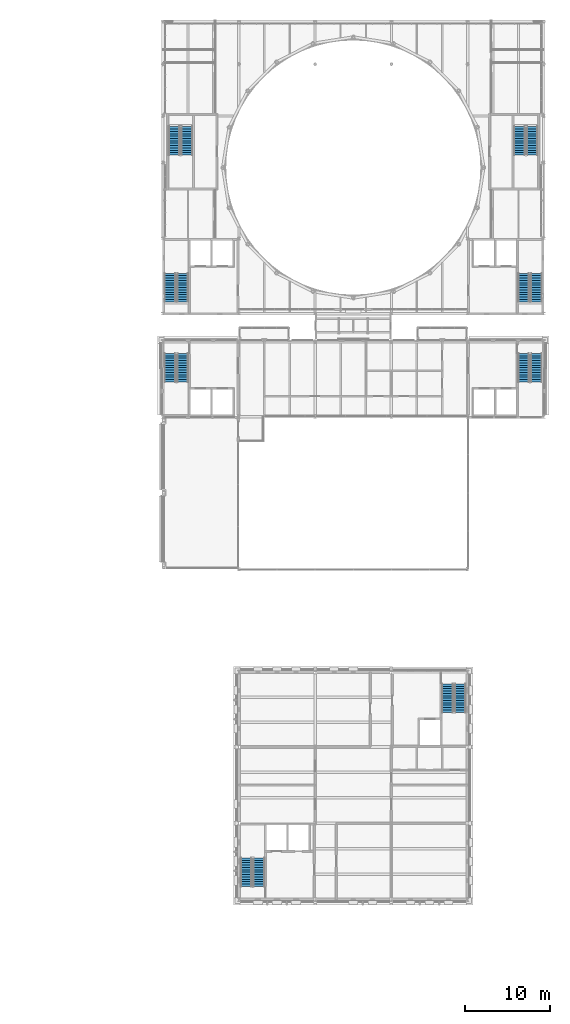
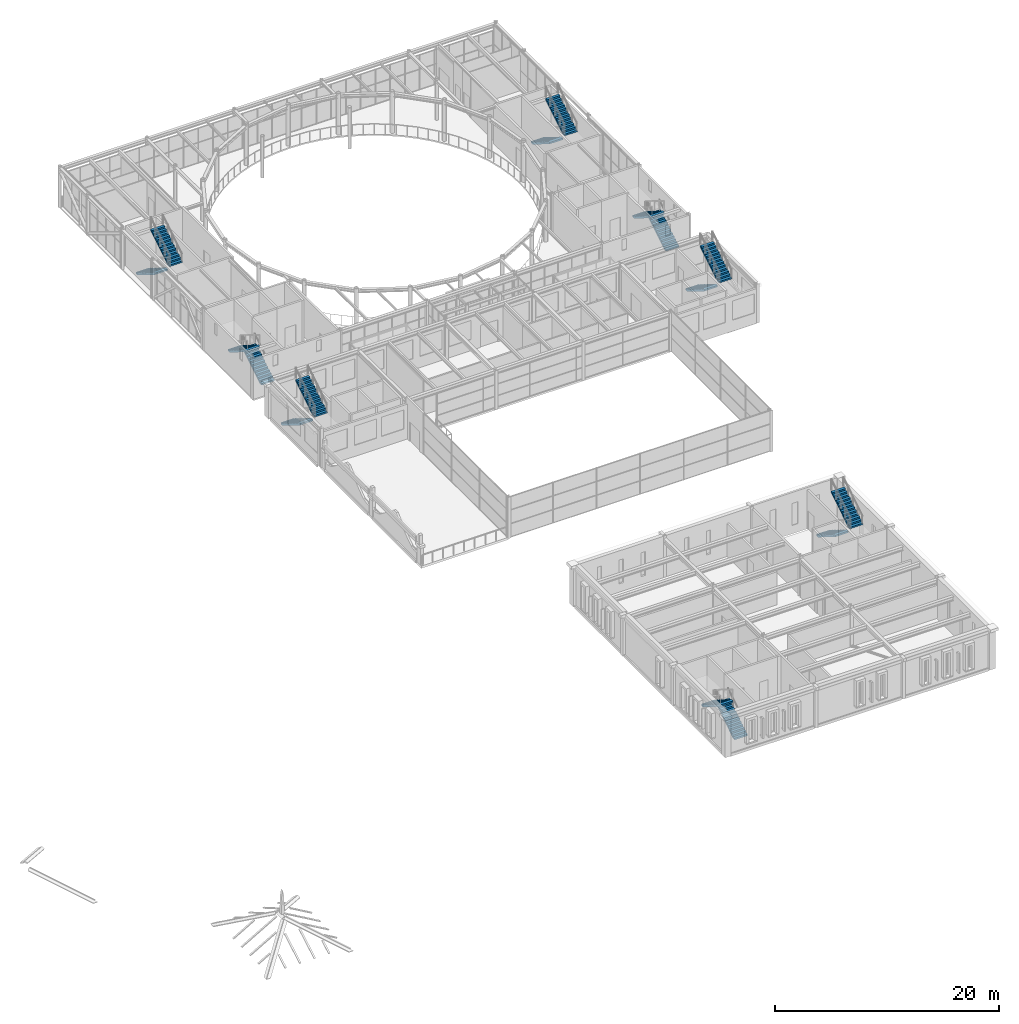
# One storey, part 56 of 70: 16 stair flights, 8 elements without a shape of their own.
"""IFC4 building model written with IfcOpenShell, lengths in metres."""

from ifc_helpers import new_model, si_unit, direction, frame, origin, place, context, subcontext, project, spatial, polyline, outline, extrude, material, type_object, element, aggregate, save


model = new_model("IFC4")

# Units and contexts
model_context = context("Model", 3, precision=1e-05, world=origin(), true_north=direction((0.0, 1.0)))
body_context = subcontext(model_context, "Body", "Model", "MODEL_VIEW")
ifc_project = project(units=[si_unit("LENGTHUNIT", "METRE"), si_unit("AREAUNIT", "SQUARE_METRE"), si_unit("VOLUMEUNIT", "CUBIC_METRE"), si_unit("PLANEANGLEUNIT", "RADIAN"), si_unit("MASSUNIT", "GRAM", prefix="KILO")], contexts=[model_context])

# Site, building, storey
site_placement = place(None, origin())
site = spatial("IfcSite", under=ifc_project, at=site_placement, CompositionType="ELEMENT")
building_placement = place(site_placement, origin())
building = spatial("IfcBuilding", under=site, at=building_placement, Name="Kallimachos Central Library", CompositionType="ELEMENT")
storey_placement = place(building_placement, frame((0.0, 0.0, 18.89990234375)))
storey = spatial("IfcBuildingStorey", under=building, at=storey_placement, Name="L04", CompositionType="ELEMENT", Elevation=18.89990234375)

# Stair, stair flights
ifc_material_1 = material(Name="Concrete C30/37", Category="concrete")
stair_type_1 = type_object("IfcStairType", Name="Concrete stair 1350", PredefinedType="HALF_TURN_STAIR", material=ifc_material_1)
stair_1_placement = place(storey_placement, origin())
stair_1 = element("IfcStair", 1, at=stair_1_placement, inside=storey, type_object=stair_type_1, Name="L04 stair ST13", PredefinedType="HALF_TURN_STAIR")
ifc_material_2 = material(Name="Concrete C30/37", Category="concrete")
stair_flight_type_1 = type_object("IfcStairFlightType", Name="Concrete stair flight 1350", PredefinedType="STRAIGHT", material=ifc_material_2)
stair_flight_1_placement = place(storey_placement, frame((76.875, 19.550048828125, 0.0), z_axis=(0.0, 0.0, 1.0), x_axis=(0.0, 1.0, 0.0)))
stair_flight_1 = element("IfcStairFlight", 2, at=stair_flight_1_placement, type_object=stair_flight_type_1, Name="ST13 flight 1", NumberOfRisers=13, NumberOfTreads=12, PredefinedType="STRAIGHT", RiserHeight=0.173076923, TreadLength=0.28, context=body_context, shape_type="SweptSolid", body=[
    extrude(outline(polyline([(0.0, 0.0), (0.0, 0.173095703125), (0.280029296875, 0.173095703125), (0.280029296875, 0.34619140625), (0.56005859375, 0.34619140625), (0.56005859375, 0.519287109375), (0.840087890625, 0.519287109375), (0.840087890625, 0.6923828125), (1.1201171875, 0.6923828125), (1.1201171875, 0.865478515625), (1.39990234375, 0.865478515625), (1.39990234375, 1.03857421875), (1.679931640625, 1.03857421875), (1.679931640625, 1.21142578125), (1.9599609375, 1.21142578125), (1.9599609375, 1.384521484375), (2.239990234375, 1.384521484375), (2.239990234375, 1.5576171875), (2.52001953125, 1.5576171875), (2.52001953125, 1.730712890625), (2.800048828125, 1.730712890625), (2.800048828125, 1.90380859375), (3.080078125, 1.90380859375), (3.080078125, 2.076904296875), (3.360107421875, 2.076904296875), (3.360107421875, 2.25), (3.360107421875, 1.900634765625), (0.28515625, 0.0), (0.0, 0.0)])), frame((0.0, 0.675048828125, 0.0), z_axis=(0.0, -1.0, 0.0), x_axis=(1.0, 0.0, 0.0)), (0.0, 0.0, 1.0), 1.35009765625),
])
stair_flight_2_placement = place(storey_placement, frame((75.375, 22.909912109375, 2.25), z_axis=(0.0, 0.0, 1.0), x_axis=(0.0, -1.0, 0.0)))
stair_flight_2 = element("IfcStairFlight", 3, at=stair_flight_2_placement, type_object=stair_flight_type_1, Name="ST13 flight 2", NumberOfRisers=13, NumberOfTreads=12, PredefinedType="STRAIGHT", RiserHeight=0.173076923, TreadLength=0.28, context=body_context, shape_type="SweptSolid", body=[
    extrude(outline(polyline([(0.0, 0.0), (0.0, 0.173095703125), (0.280029296875, 0.173095703125), (0.280029296875, 0.34619140625), (0.56005859375, 0.34619140625), (0.56005859375, 0.519287109375), (0.840087890625, 0.519287109375), (0.840087890625, 0.6923828125), (1.1201171875, 0.6923828125), (1.1201171875, 0.865478515625), (1.39990234375, 0.865478515625), (1.39990234375, 1.03857421875), (1.679931640625, 1.03857421875), (1.679931640625, 1.21142578125), (1.9599609375, 1.21142578125), (1.9599609375, 1.384521484375), (2.239990234375, 1.384521484375), (2.239990234375, 1.5576171875), (2.52001953125, 1.5576171875), (2.52001953125, 1.730712890625), (2.800048828125, 1.730712890625), (2.800048828125, 1.90380859375), (3.080078125, 1.90380859375), (3.080078125, 2.076904296875), (3.360107421875, 2.076904296875), (3.360107421875, 2.25), (3.360107421875, 1.900634765625), (0.28515625, 0.0), (0.0, 0.0)])), frame((0.0, 0.675048828125, 0.0), z_axis=(0.0, -1.0, 0.0), x_axis=(1.0, 0.0, 0.0)), (0.0, 0.0, 1.0), 1.35009765625),
])
aggregate(stair_1, [stair_flight_1, stair_flight_2])

stair_2_placement = place(storey_placement, origin())
stair_2 = element("IfcStair", 4, at=stair_2_placement, inside=storey, type_object=stair_type_1, Name="L04 stair ST14", PredefinedType="HALF_TURN_STAIR")
stair_flight_3_placement = place(storey_placement, frame((99.125, 43.449951171875, 0.0), z_axis=(0.0, 0.0, 1.0), x_axis=(0.0, -1.0, 0.0)))
stair_flight_3 = element("IfcStairFlight", 5, at=stair_flight_3_placement, type_object=stair_flight_type_1, Name="ST14 flight 1", NumberOfRisers=13, NumberOfTreads=12, PredefinedType="STRAIGHT", RiserHeight=0.173076923, TreadLength=0.28, context=body_context, shape_type="SweptSolid", body=[
    extrude(outline(polyline([(0.0, 0.0), (0.0, 0.173095703125), (0.280029296875, 0.173095703125), (0.280029296875, 0.34619140625), (0.56005859375, 0.34619140625), (0.56005859375, 0.519287109375), (0.840087890625, 0.519287109375), (0.840087890625, 0.6923828125), (1.1201171875, 0.6923828125), (1.1201171875, 0.865478515625), (1.39990234375, 0.865478515625), (1.39990234375, 1.03857421875), (1.679931640625, 1.03857421875), (1.679931640625, 1.21142578125), (1.9599609375, 1.21142578125), (1.9599609375, 1.384521484375), (2.239990234375, 1.384521484375), (2.239990234375, 1.5576171875), (2.52001953125, 1.5576171875), (2.52001953125, 1.730712890625), (2.800048828125, 1.730712890625), (2.800048828125, 1.90380859375), (3.080078125, 1.90380859375), (3.080078125, 2.076904296875), (3.360107421875, 2.076904296875), (3.360107421875, 2.25), (3.360107421875, 1.900634765625), (0.28515625, 0.0), (0.0, 0.0)])), frame((0.0, 0.675048828125, 0.0), z_axis=(0.0, -1.0, 0.0), x_axis=(1.0, 0.0, 0.0)), (0.0, 0.0, 1.0), 1.35009765625),
])
stair_flight_4_placement = place(storey_placement, frame((100.625, 40.090087890625, 2.25), z_axis=(0.0, 0.0, 1.0), x_axis=(0.0, 1.0, 0.0)))
stair_flight_4 = element("IfcStairFlight", 6, at=stair_flight_4_placement, type_object=stair_flight_type_1, Name="ST14 flight 2", NumberOfRisers=13, NumberOfTreads=12, PredefinedType="STRAIGHT", RiserHeight=0.173076923, TreadLength=0.28, context=body_context, shape_type="SweptSolid", body=[
    extrude(outline(polyline([(0.0, 0.0), (0.0, 0.173095703125), (0.280029296875, 0.173095703125), (0.280029296875, 0.34619140625), (0.56005859375, 0.34619140625), (0.56005859375, 0.519287109375), (0.840087890625, 0.519287109375), (0.840087890625, 0.6923828125), (1.1201171875, 0.6923828125), (1.1201171875, 0.865478515625), (1.39990234375, 0.865478515625), (1.39990234375, 1.03857421875), (1.679931640625, 1.03857421875), (1.679931640625, 1.21142578125), (1.9599609375, 1.21142578125), (1.9599609375, 1.384521484375), (2.239990234375, 1.384521484375), (2.239990234375, 1.5576171875), (2.52001953125, 1.5576171875), (2.52001953125, 1.730712890625), (2.800048828125, 1.730712890625), (2.800048828125, 1.90380859375), (3.080078125, 1.90380859375), (3.080078125, 2.076904296875), (3.360107421875, 2.076904296875), (3.360107421875, 2.25), (3.360107421875, 1.900634765625), (0.28515625, 0.0), (0.0, 0.0)])), frame((0.0, 0.675048828125, 0.0), z_axis=(0.0, -1.0, 0.0), x_axis=(1.0, 0.0, 0.0)), (0.0, 0.0, 1.0), 1.35009765625),
])
aggregate(stair_2, [stair_flight_3, stair_flight_4])

ifc_material_3 = material(Name="Concrete C30/37", Category="concrete")
stair_type_2 = type_object("IfcStairType", Name="Escape stair", PredefinedType="HALF_TURN_STAIR", material=ifc_material_3)
stair_3_placement = place(storey_placement, origin())
stair_3 = element("IfcStair", 7, at=stair_3_placement, inside=storey, type_object=stair_type_2, Name="L04 stair ST9", PredefinedType="HALF_TURN_STAIR")
ifc_material_4 = material(Name="Concrete C30/37", Category="concrete")
stair_flight_type_2 = type_object("IfcStairFlightType", Name="Stair flight", PredefinedType="STRAIGHT", material=ifc_material_4)
stair_flight_5_placement = place(storey_placement, frame((66.375, 82.449951171875, 0.0), z_axis=(0.0, 0.0, 1.0), x_axis=(0.0, -1.0, 0.0)))
stair_flight_5 = element("IfcStairFlight", 8, at=stair_flight_5_placement, type_object=stair_flight_type_2, Name="ST9 flight 1", NumberOfRisers=13, NumberOfTreads=12, PredefinedType="STRAIGHT", RiserHeight=0.173076923, TreadLength=0.28, context=body_context, shape_type="SweptSolid", body=[
    extrude(outline(polyline([(0.0, 0.0), (0.0, 0.173095703125), (0.280029296875, 0.173095703125), (0.280029296875, 0.34619140625), (0.56005859375, 0.34619140625), (0.56005859375, 0.519287109375), (0.840087890625, 0.519287109375), (0.840087890625, 0.6923828125), (1.1201171875, 0.6923828125), (1.1201171875, 0.865478515625), (1.39990234375, 0.865478515625), (1.39990234375, 1.03857421875), (1.679931640625, 1.03857421875), (1.679931640625, 1.21142578125), (1.9599609375, 1.21142578125), (1.9599609375, 1.384521484375), (2.239990234375, 1.384521484375), (2.239990234375, 1.5576171875), (2.52001953125, 1.5576171875), (2.52001953125, 1.730712890625), (2.800048828125, 1.730712890625), (2.800048828125, 1.90380859375), (3.080078125, 1.90380859375), (3.080078125, 2.076904296875), (3.360107421875, 2.076904296875), (3.360107421875, 2.25), (3.360107421875, 1.900634765625), (0.28515625, 0.0), (0.0, 0.0)])), frame((0.0, 0.675048828125, 0.0), z_axis=(0.0, -1.0, 0.0), x_axis=(1.0, 0.0, 0.0)), (0.0, 0.0, 1.0), 1.35009765625),
])
stair_flight_6_placement = place(storey_placement, frame((67.875, 79.090087890625, 2.25), z_axis=(0.0, 0.0, 1.0), x_axis=(0.0, 1.0, 0.0)))
stair_flight_6 = element("IfcStairFlight", 9, at=stair_flight_6_placement, type_object=stair_flight_type_2, Name="ST9 flight 2", NumberOfRisers=13, NumberOfTreads=12, PredefinedType="STRAIGHT", RiserHeight=0.173076923, TreadLength=0.28, context=body_context, shape_type="SweptSolid", body=[
    extrude(outline(polyline([(0.0, 0.0), (0.0, 0.173095703125), (0.280029296875, 0.173095703125), (0.280029296875, 0.34619140625), (0.56005859375, 0.34619140625), (0.56005859375, 0.519287109375), (0.840087890625, 0.519287109375), (0.840087890625, 0.6923828125), (1.1201171875, 0.6923828125), (1.1201171875, 0.865478515625), (1.39990234375, 0.865478515625), (1.39990234375, 1.03857421875), (1.679931640625, 1.03857421875), (1.679931640625, 1.21142578125), (1.9599609375, 1.21142578125), (1.9599609375, 1.384521484375), (2.239990234375, 1.384521484375), (2.239990234375, 1.5576171875), (2.52001953125, 1.5576171875), (2.52001953125, 1.730712890625), (2.800048828125, 1.730712890625), (2.800048828125, 1.90380859375), (3.080078125, 1.90380859375), (3.080078125, 2.076904296875), (3.360107421875, 2.076904296875), (3.360107421875, 2.25), (3.360107421875, 1.900634765625), (0.28515625, 0.0), (0.0, 0.0)])), frame((0.0, 0.675048828125, 0.0), z_axis=(0.0, -1.0, 0.0), x_axis=(1.0, 0.0, 0.0)), (0.0, 0.0, 1.0), 1.35009765625),
])
aggregate(stair_3, [stair_flight_5, stair_flight_6])

stair_4_placement = place(storey_placement, origin())
stair_4 = element("IfcStair", 10, at=stair_4_placement, inside=storey, type_object=stair_type_2, Name="L04 stair ST10", PredefinedType="HALF_TURN_STAIR")
stair_flight_7_placement = place(storey_placement, frame((108.125, 82.449951171875, 0.0), z_axis=(0.0, 0.0, 1.0), x_axis=(0.0, -1.0, 0.0)))
stair_flight_7 = element("IfcStairFlight", 11, at=stair_flight_7_placement, type_object=stair_flight_type_2, Name="ST10 flight 1", NumberOfRisers=13, NumberOfTreads=12, PredefinedType="STRAIGHT", RiserHeight=0.173076923, TreadLength=0.28, context=body_context, shape_type="SweptSolid", body=[
    extrude(outline(polyline([(0.0, 0.0), (0.0, 0.173095703125), (0.280029296875, 0.173095703125), (0.280029296875, 0.34619140625), (0.56005859375, 0.34619140625), (0.56005859375, 0.519287109375), (0.840087890625, 0.519287109375), (0.840087890625, 0.6923828125), (1.1201171875, 0.6923828125), (1.1201171875, 0.865478515625), (1.39990234375, 0.865478515625), (1.39990234375, 1.03857421875), (1.679931640625, 1.03857421875), (1.679931640625, 1.21142578125), (1.9599609375, 1.21142578125), (1.9599609375, 1.384521484375), (2.239990234375, 1.384521484375), (2.239990234375, 1.5576171875), (2.52001953125, 1.5576171875), (2.52001953125, 1.730712890625), (2.800048828125, 1.730712890625), (2.800048828125, 1.90380859375), (3.080078125, 1.90380859375), (3.080078125, 2.076904296875), (3.360107421875, 2.076904296875), (3.360107421875, 2.25), (3.360107421875, 1.900634765625), (0.28515625, 0.0), (0.0, 0.0)])), frame((0.0, 0.675048828125, 0.0), z_axis=(0.0, -1.0, 0.0), x_axis=(1.0, 0.0, 0.0)), (0.0, 0.0, 1.0), 1.35009765625),
])
stair_flight_8_placement = place(storey_placement, frame((109.625, 79.090087890625, 2.25), z_axis=(0.0, 0.0, 1.0), x_axis=(0.0, 1.0, 0.0)))
stair_flight_8 = element("IfcStairFlight", 12, at=stair_flight_8_placement, type_object=stair_flight_type_2, Name="ST10 flight 2", NumberOfRisers=13, NumberOfTreads=12, PredefinedType="STRAIGHT", RiserHeight=0.173076923, TreadLength=0.28, context=body_context, shape_type="SweptSolid", body=[
    extrude(outline(polyline([(0.0, 0.0), (0.0, 0.173095703125), (0.280029296875, 0.173095703125), (0.280029296875, 0.34619140625), (0.56005859375, 0.34619140625), (0.56005859375, 0.519287109375), (0.840087890625, 0.519287109375), (0.840087890625, 0.6923828125), (1.1201171875, 0.6923828125), (1.1201171875, 0.865478515625), (1.39990234375, 0.865478515625), (1.39990234375, 1.03857421875), (1.679931640625, 1.03857421875), (1.679931640625, 1.21142578125), (1.9599609375, 1.21142578125), (1.9599609375, 1.384521484375), (2.239990234375, 1.384521484375), (2.239990234375, 1.5576171875), (2.52001953125, 1.5576171875), (2.52001953125, 1.730712890625), (2.800048828125, 1.730712890625), (2.800048828125, 1.90380859375), (3.080078125, 1.90380859375), (3.080078125, 2.076904296875), (3.360107421875, 2.076904296875), (3.360107421875, 2.25), (3.360107421875, 1.900634765625), (0.28515625, 0.0), (0.0, 0.0)])), frame((0.0, 0.675048828125, 0.0), z_axis=(0.0, -1.0, 0.0), x_axis=(1.0, 0.0, 0.0)), (0.0, 0.0, 1.0), 1.35009765625),
])
aggregate(stair_4, [stair_flight_7, stair_flight_8])

ifc_material_5 = material(Name="Steel S355J2", Category="steel")
stair_type_3 = type_object("IfcStairType", Name="Steel half-turn stair 1350", PredefinedType="HALF_TURN_STAIR", material=ifc_material_5)
stair_5_placement = place(storey_placement, origin())
stair_5 = element("IfcStair", 13, at=stair_5_placement, inside=storey, type_object=stair_type_3, Name="L04 stair ST1", PredefinedType="HALF_TURN_STAIR")
ifc_material_6 = material(Name="Steel S355J2", Category="steel")
stair_flight_type_3 = type_object("IfcStairFlightType", Name="Steel stair flight 1350", PredefinedType="STRAIGHT", material=ifc_material_6)
stair_flight_9_placement = place(storey_placement, frame((67.875, 88.550048828125, 0.0), z_axis=(0.0, 0.0, 1.0), x_axis=(0.0, 1.0, 0.0)))
stair_flight_9 = element("IfcStairFlight", 14, at=stair_flight_9_placement, type_object=stair_flight_type_3, Name="ST1 flight 1", NumberOfRisers=13, NumberOfTreads=12, PredefinedType="STRAIGHT", RiserHeight=0.173076923, TreadLength=0.28, context=body_context, shape_type="SweptSolid", body=[
    extrude(outline(polyline([(0.0, 0.0), (0.0, 0.173095703125), (0.280029296875, 0.173095703125), (0.280029296875, 0.34619140625), (0.56005859375, 0.34619140625), (0.56005859375, 0.519287109375), (0.840087890625, 0.519287109375), (0.840087890625, 0.6923828125), (1.1201171875, 0.6923828125), (1.1201171875, 0.865478515625), (1.39990234375, 0.865478515625), (1.39990234375, 1.03857421875), (1.679931640625, 1.03857421875), (1.679931640625, 1.21142578125), (1.9599609375, 1.21142578125), (1.9599609375, 1.384521484375), (2.239990234375, 1.384521484375), (2.239990234375, 1.5576171875), (2.52001953125, 1.5576171875), (2.52001953125, 1.730712890625), (2.800048828125, 1.730712890625), (2.800048828125, 1.90380859375), (3.080078125, 1.90380859375), (3.080078125, 2.076904296875), (3.360107421875, 2.076904296875), (3.360107421875, 2.25), (3.360107421875, 1.900634765625), (0.28515625, 0.0), (0.0, 0.0)])), frame((0.0, 0.675048828125, 0.0), z_axis=(0.0, -1.0, 0.0), x_axis=(1.0, 0.0, 0.0)), (0.0, 0.0, 1.0), 1.35009765625),
])
stair_flight_10_placement = place(storey_placement, frame((66.375, 91.909912109375, 2.25), z_axis=(0.0, 0.0, 1.0), x_axis=(0.0, -1.0, 0.0)))
stair_flight_10 = element("IfcStairFlight", 15, at=stair_flight_10_placement, type_object=stair_flight_type_3, Name="ST1 flight 2", NumberOfRisers=13, NumberOfTreads=12, PredefinedType="STRAIGHT", RiserHeight=0.173076923, TreadLength=0.28, context=body_context, shape_type="SweptSolid", body=[
    extrude(outline(polyline([(0.0, 0.0), (0.0, 0.173095703125), (0.280029296875, 0.173095703125), (0.280029296875, 0.34619140625), (0.56005859375, 0.34619140625), (0.56005859375, 0.519287109375), (0.840087890625, 0.519287109375), (0.840087890625, 0.6923828125), (1.1201171875, 0.6923828125), (1.1201171875, 0.865478515625), (1.39990234375, 0.865478515625), (1.39990234375, 1.03857421875), (1.679931640625, 1.03857421875), (1.679931640625, 1.21142578125), (1.9599609375, 1.21142578125), (1.9599609375, 1.384521484375), (2.239990234375, 1.384521484375), (2.239990234375, 1.5576171875), (2.52001953125, 1.5576171875), (2.52001953125, 1.730712890625), (2.800048828125, 1.730712890625), (2.800048828125, 1.90380859375), (3.080078125, 1.90380859375), (3.080078125, 2.076904296875), (3.360107421875, 2.076904296875), (3.360107421875, 2.25), (3.360107421875, 1.900634765625), (0.28515625, 0.0), (0.0, 0.0)])), frame((0.0, 0.675048828125, 0.0), z_axis=(0.0, -1.0, 0.0), x_axis=(1.0, 0.0, 0.0)), (0.0, 0.0, 1.0), 1.35009765625),
])
aggregate(stair_5, [stair_flight_9, stair_flight_10])

stair_6_placement = place(storey_placement, origin())
stair_6 = element("IfcStair", 16, at=stair_6_placement, inside=storey, type_object=stair_type_3, Name="L04 stair ST2", PredefinedType="HALF_TURN_STAIR")
stair_flight_11_placement = place(storey_placement, frame((109.625, 88.550048828125, 0.0), z_axis=(0.0, 0.0, 1.0), x_axis=(0.0, 1.0, 0.0)))
stair_flight_11 = element("IfcStairFlight", 17, at=stair_flight_11_placement, type_object=stair_flight_type_3, Name="ST2 flight 1", NumberOfRisers=13, NumberOfTreads=12, PredefinedType="STRAIGHT", RiserHeight=0.173076923, TreadLength=0.28, context=body_context, shape_type="SweptSolid", body=[
    extrude(outline(polyline([(0.0, 0.0), (0.0, 0.173095703125), (0.280029296875, 0.173095703125), (0.280029296875, 0.34619140625), (0.56005859375, 0.34619140625), (0.56005859375, 0.519287109375), (0.840087890625, 0.519287109375), (0.840087890625, 0.6923828125), (1.1201171875, 0.6923828125), (1.1201171875, 0.865478515625), (1.39990234375, 0.865478515625), (1.39990234375, 1.03857421875), (1.679931640625, 1.03857421875), (1.679931640625, 1.21142578125), (1.9599609375, 1.21142578125), (1.9599609375, 1.384521484375), (2.239990234375, 1.384521484375), (2.239990234375, 1.5576171875), (2.52001953125, 1.5576171875), (2.52001953125, 1.730712890625), (2.800048828125, 1.730712890625), (2.800048828125, 1.90380859375), (3.080078125, 1.90380859375), (3.080078125, 2.076904296875), (3.360107421875, 2.076904296875), (3.360107421875, 2.25), (3.360107421875, 1.900634765625), (0.28515625, 0.0), (0.0, 0.0)])), frame((0.0, 0.675048828125, 0.0), z_axis=(0.0, -1.0, 0.0), x_axis=(1.0, 0.0, 0.0)), (0.0, 0.0, 1.0), 1.35009765625),
])
stair_flight_12_placement = place(storey_placement, frame((108.125, 91.909912109375, 2.25), z_axis=(0.0, 0.0, 1.0), x_axis=(0.0, -1.0, 0.0)))
stair_flight_12 = element("IfcStairFlight", 18, at=stair_flight_12_placement, type_object=stair_flight_type_3, Name="ST2 flight 2", NumberOfRisers=13, NumberOfTreads=12, PredefinedType="STRAIGHT", RiserHeight=0.173076923, TreadLength=0.28, context=body_context, shape_type="SweptSolid", body=[
    extrude(outline(polyline([(0.0, 0.0), (0.0, 0.173095703125), (0.280029296875, 0.173095703125), (0.280029296875, 0.34619140625), (0.56005859375, 0.34619140625), (0.56005859375, 0.519287109375), (0.840087890625, 0.519287109375), (0.840087890625, 0.6923828125), (1.1201171875, 0.6923828125), (1.1201171875, 0.865478515625), (1.39990234375, 0.865478515625), (1.39990234375, 1.03857421875), (1.679931640625, 1.03857421875), (1.679931640625, 1.21142578125), (1.9599609375, 1.21142578125), (1.9599609375, 1.384521484375), (2.239990234375, 1.384521484375), (2.239990234375, 1.5576171875), (2.52001953125, 1.5576171875), (2.52001953125, 1.730712890625), (2.800048828125, 1.730712890625), (2.800048828125, 1.90380859375), (3.080078125, 1.90380859375), (3.080078125, 2.076904296875), (3.360107421875, 2.076904296875), (3.360107421875, 2.25), (3.360107421875, 1.900634765625), (0.28515625, 0.0), (0.0, 0.0)])), frame((0.0, 0.675048828125, 0.0), z_axis=(0.0, -1.0, 0.0), x_axis=(1.0, 0.0, 0.0)), (0.0, 0.0, 1.0), 1.35009765625),
])
aggregate(stair_6, [stair_flight_11, stair_flight_12])

stair_7_placement = place(storey_placement, origin())
stair_7 = element("IfcStair", 19, at=stair_7_placement, inside=storey, type_object=stair_type_3, Name="L04 stair ST3", PredefinedType="HALF_TURN_STAIR")
stair_flight_13_placement = place(storey_placement, frame((66.875, 109.22509765625, 0.0), z_axis=(0.0, 0.0, 1.0), x_axis=(0.0, -1.0, 0.0)))
stair_flight_13 = element("IfcStairFlight", 20, at=stair_flight_13_placement, type_object=stair_flight_type_3, Name="ST3 flight 1", NumberOfRisers=13, NumberOfTreads=12, PredefinedType="STRAIGHT", RiserHeight=0.173076923, TreadLength=0.28, context=body_context, shape_type="SweptSolid", body=[
    extrude(outline(polyline([(0.0, 0.0), (0.0, 0.173095703125), (0.280029296875, 0.173095703125), (0.280029296875, 0.34619140625), (0.56005859375, 0.34619140625), (0.56005859375, 0.519287109375), (0.840087890625, 0.519287109375), (0.840087890625, 0.6923828125), (1.1201171875, 0.6923828125), (1.1201171875, 0.865478515625), (1.39990234375, 0.865478515625), (1.39990234375, 1.03857421875), (1.679931640625, 1.03857421875), (1.679931640625, 1.21142578125), (1.9599609375, 1.21142578125), (1.9599609375, 1.384521484375), (2.239990234375, 1.384521484375), (2.239990234375, 1.5576171875), (2.52001953125, 1.5576171875), (2.52001953125, 1.730712890625), (2.800048828125, 1.730712890625), (2.800048828125, 1.90380859375), (3.080078125, 1.90380859375), (3.080078125, 2.076904296875), (3.360107421875, 2.076904296875), (3.360107421875, 2.25), (3.360107421875, 1.900634765625), (0.28515625, 0.0), (0.0, 0.0)])), frame((0.0, 0.675048828125, 0.0), z_axis=(0.0, -1.0, 0.0), x_axis=(1.0, 0.0, 0.0)), (0.0, 0.0, 1.0), 1.35009765625),
])
stair_flight_14_placement = place(storey_placement, frame((68.375, 105.864990234375, 2.25), z_axis=(0.0, 0.0, 1.0), x_axis=(0.0, 1.0, 0.0)))
stair_flight_14 = element("IfcStairFlight", 21, at=stair_flight_14_placement, type_object=stair_flight_type_3, Name="ST3 flight 2", NumberOfRisers=13, NumberOfTreads=12, PredefinedType="STRAIGHT", RiserHeight=0.173076923, TreadLength=0.28, context=body_context, shape_type="SweptSolid", body=[
    extrude(outline(polyline([(0.0, 0.0), (0.0, 0.173095703125), (0.280029296875, 0.173095703125), (0.280029296875, 0.34619140625), (0.56005859375, 0.34619140625), (0.56005859375, 0.519287109375), (0.840087890625, 0.519287109375), (0.840087890625, 0.6923828125), (1.1201171875, 0.6923828125), (1.1201171875, 0.865478515625), (1.39990234375, 0.865478515625), (1.39990234375, 1.03857421875), (1.679931640625, 1.03857421875), (1.679931640625, 1.21142578125), (1.9599609375, 1.21142578125), (1.9599609375, 1.384521484375), (2.239990234375, 1.384521484375), (2.239990234375, 1.5576171875), (2.52001953125, 1.5576171875), (2.52001953125, 1.730712890625), (2.800048828125, 1.730712890625), (2.800048828125, 1.90380859375), (3.080078125, 1.90380859375), (3.080078125, 2.076904296875), (3.360107421875, 2.076904296875), (3.360107421875, 2.25), (3.360107421875, 1.900634765625), (0.28515625, 0.0), (0.0, 0.0)])), frame((0.0, 0.675048828125, 0.0), z_axis=(0.0, -1.0, 0.0), x_axis=(1.0, 0.0, 0.0)), (0.0, 0.0, 1.0), 1.35009765625),
])
aggregate(stair_7, [stair_flight_13, stair_flight_14])

stair_8_placement = place(storey_placement, origin())
stair_8 = element("IfcStair", 22, at=stair_8_placement, inside=storey, type_object=stair_type_3, Name="L04 stair ST4", PredefinedType="HALF_TURN_STAIR")
stair_flight_15_placement = place(storey_placement, frame((107.625, 109.22509765625, 0.0), z_axis=(0.0, 0.0, 1.0), x_axis=(0.0, -1.0, 0.0)))
stair_flight_15 = element("IfcStairFlight", 23, at=stair_flight_15_placement, type_object=stair_flight_type_3, Name="ST4 flight 1", NumberOfRisers=13, NumberOfTreads=12, PredefinedType="STRAIGHT", RiserHeight=0.173076923, TreadLength=0.28, context=body_context, shape_type="SweptSolid", body=[
    extrude(outline(polyline([(0.0, 0.0), (0.0, 0.173095703125), (0.280029296875, 0.173095703125), (0.280029296875, 0.34619140625), (0.56005859375, 0.34619140625), (0.56005859375, 0.519287109375), (0.840087890625, 0.519287109375), (0.840087890625, 0.6923828125), (1.1201171875, 0.6923828125), (1.1201171875, 0.865478515625), (1.39990234375, 0.865478515625), (1.39990234375, 1.03857421875), (1.679931640625, 1.03857421875), (1.679931640625, 1.21142578125), (1.9599609375, 1.21142578125), (1.9599609375, 1.384521484375), (2.239990234375, 1.384521484375), (2.239990234375, 1.5576171875), (2.52001953125, 1.5576171875), (2.52001953125, 1.730712890625), (2.800048828125, 1.730712890625), (2.800048828125, 1.90380859375), (3.080078125, 1.90380859375), (3.080078125, 2.076904296875), (3.360107421875, 2.076904296875), (3.360107421875, 2.25), (3.360107421875, 1.900634765625), (0.28515625, 0.0), (0.0, 0.0)])), frame((0.0, 0.675048828125, 0.0), z_axis=(0.0, -1.0, 0.0), x_axis=(1.0, 0.0, 0.0)), (0.0, 0.0, 1.0), 1.35009765625),
])
stair_flight_16_placement = place(storey_placement, frame((109.125, 105.864990234375, 2.25), z_axis=(0.0, 0.0, 1.0), x_axis=(0.0, 1.0, 0.0)))
stair_flight_16 = element("IfcStairFlight", 24, at=stair_flight_16_placement, type_object=stair_flight_type_3, Name="ST4 flight 2", NumberOfRisers=13, NumberOfTreads=12, PredefinedType="STRAIGHT", RiserHeight=0.173076923, TreadLength=0.28, context=body_context, shape_type="SweptSolid", body=[
    extrude(outline(polyline([(0.0, 0.0), (0.0, 0.173095703125), (0.280029296875, 0.173095703125), (0.280029296875, 0.34619140625), (0.56005859375, 0.34619140625), (0.56005859375, 0.519287109375), (0.840087890625, 0.519287109375), (0.840087890625, 0.6923828125), (1.1201171875, 0.6923828125), (1.1201171875, 0.865478515625), (1.39990234375, 0.865478515625), (1.39990234375, 1.03857421875), (1.679931640625, 1.03857421875), (1.679931640625, 1.21142578125), (1.9599609375, 1.21142578125), (1.9599609375, 1.384521484375), (2.239990234375, 1.384521484375), (2.239990234375, 1.5576171875), (2.52001953125, 1.5576171875), (2.52001953125, 1.730712890625), (2.800048828125, 1.730712890625), (2.800048828125, 1.90380859375), (3.080078125, 1.90380859375), (3.080078125, 2.076904296875), (3.360107421875, 2.076904296875), (3.360107421875, 2.25), (3.360107421875, 1.900634765625), (0.28515625, 0.0), (0.0, 0.0)])), frame((0.0, 0.675048828125, 0.0), z_axis=(0.0, -1.0, 0.0), x_axis=(1.0, 0.0, 0.0)), (0.0, 0.0, 1.0), 1.35009765625),
])
aggregate(stair_8, [stair_flight_15, stair_flight_16])

save(model, "model.ifc")
